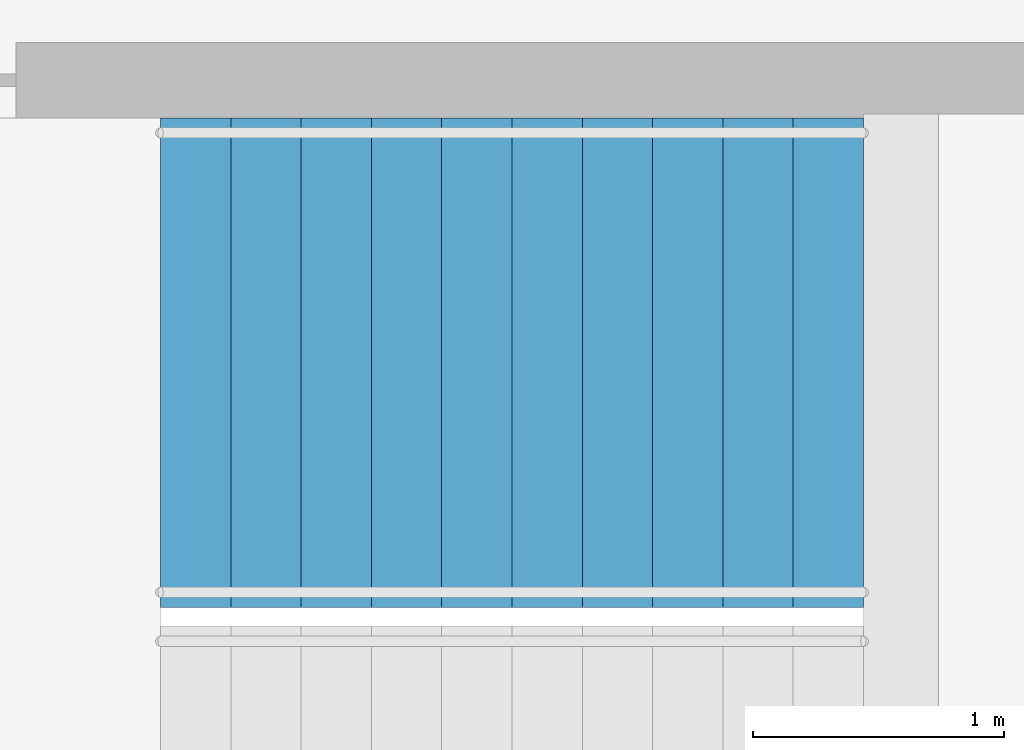
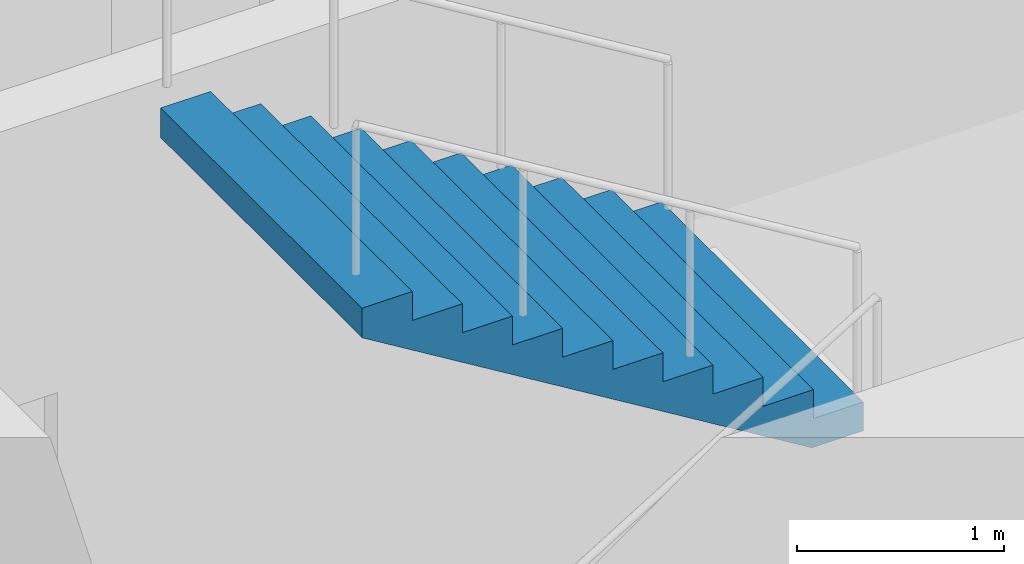
# One storey, part 18 of 21: 1 stair flight, 1 element without a shape of its own.
"""IFC4 building model written with IfcOpenShell, lengths in metres."""

from ifc_helpers import new_model, si_unit, direction, frame, origin, place, context, subcontext, project, spatial, triangles, material, type_object, element, aggregate, save


model = new_model("IFC4")

# Units and contexts
model_context = context("Model", 3, precision=1e-05, world=origin(), true_north=direction((0.0, 1.0)))
body_context = subcontext(model_context, "Body", "Model", "MODEL_VIEW")
ifc_project = project(units=[si_unit("LENGTHUNIT", "METRE"), si_unit("AREAUNIT", "SQUARE_METRE"), si_unit("VOLUMEUNIT", "CUBIC_METRE"), si_unit("PLANEANGLEUNIT", "RADIAN"), si_unit("MASSUNIT", "GRAM", prefix="KILO")], contexts=[model_context])

# Site, building, storey
site_placement = place(None, origin())
site = spatial("IfcSite", under=ifc_project, at=site_placement, CompositionType="ELEMENT")
building_placement = place(site_placement, origin())
building = spatial("IfcBuilding", under=site, at=building_placement, Name="Orbita Commons", CompositionType="ELEMENT")
storey_placement = place(building_placement, frame((0.0, 0.0, 125.64990234375)))
storey = spatial("IfcBuildingStorey", under=building, at=storey_placement, Name="L31", CompositionType="ELEMENT", Elevation=125.64990234375)

# Stair, stair flight
ifc_material_1 = material(Name="Precast concrete C40/50", Category="concrete")
stair_type = type_object("IfcStairType", Name="Exit stair S1 2 flights 11 risers 170", PredefinedType="HALF_TURN_STAIR", material=ifc_material_1)
stair_placement = place(storey_placement, origin())
stair = element("IfcStair", 1, at=stair_placement, inside=storey, type_object=stair_type, Name="Exit stair S1 L31", PredefinedType="HALF_TURN_STAIR")
ifc_material_2 = material(Name="Precast concrete C40/50", Category="concrete")
stair_flight_type = type_object("IfcStairFlightType", Name="Stair flight 11 risers 170 x 280", PredefinedType="STRAIGHT", material=ifc_material_2)
stair_flight_placement = place(storey_placement, frame((23.25, 29.27490234375, 1.875), z_axis=(0.0, 0.0, 1.0), x_axis=(-1.0, 0.0, 0.0)))
stair_flight = element("IfcStairFlight", 2, at=stair_flight_placement, type_object=stair_flight_type, Name="S1 flight 2", NumberOfRisers=11, NumberOfTreads=10, PredefinedType="STRAIGHT", RiserHeight=0.170454545, TreadLength=0.28, context=body_context, shape_type="Tessellation", body=[
    triangles([(0.0, 0.974976, 0.0), (0.0, 0.974976, 0.021307), (0.0, 0.81248, 0.021307), (0.0, 0.81248, 0.0), (0.0, 0.649984, 0.021307), (0.0, 0.649984, 0.0), (0.0, 0.487488, 0.021307), (0.0, 0.487488, 0.0), (0.0, 0.324992, 0.021307), (0.0, 0.324992, 0.0), (0.0, 0.162496, 0.021307), (0.0, 0.162496, 0.0), (0.0, 0.0, 0.021307), (0.0, 0.0, 0.0), (0.0, -0.162496, 0.021307), (0.0, -0.162496, 0.0), (0.0, -0.324992, 0.021307), (0.0, -0.324992, 0.0), (0.0, -0.487488, 0.021307), (0.0, -0.487488, 0.0), (0.0, -0.649984, 0.021307), (0.0, -0.649984, 0.0), (0.0, -0.81248, 0.021307), (0.0, -0.81248, 0.0), (0.0, -0.974976, 0.021307), (0.0, -0.974976, 0.0), (0.0, 0.974976, 0.042614), (0.0, 0.81248, 0.042614), (0.0, 0.649984, 0.042614), (0.0, 0.487488, 0.042614), (0.0, 0.324992, 0.042614), (0.0, 0.162496, 0.042614), (0.0, 0.0, 0.042614), (0.0, -0.162496, 0.042614), (0.0, -0.324992, 0.042614), (0.0, -0.487488, 0.042614), (0.0, -0.649984, 0.042614), (0.0, -0.81248, 0.042614), (0.0, -0.974976, 0.042614), (0.0, 0.974976, 0.06392), (0.0, 0.81248, 0.06392), (0.0, 0.649984, 0.06392), (0.0, 0.487488, 0.06392), (0.0, 0.324992, 0.06392), (0.0, 0.162496, 0.06392), (0.0, 0.0, 0.06392), (0.0, -0.162496, 0.06392), (0.0, -0.324992, 0.06392), (0.0, -0.487488, 0.06392), (0.0, -0.649984, 0.06392), (0.0, -0.81248, 0.06392), (0.0, -0.974976, 0.06392), (0.0, 0.974976, 0.085227), (0.0, 0.81248, 0.085227), (0.0, 0.649984, 0.085227), (0.0, 0.487488, 0.085227), (0.0, 0.324992, 0.085227), (0.0, 0.162496, 0.085227), (0.0, 0.0, 0.085227), (0.0, -0.162496, 0.085227), (0.0, -0.324992, 0.085227), (0.0, -0.487488, 0.085227), (0.0, -0.649984, 0.085227), (0.0, -0.81248, 0.085227), (0.0, -0.974976, 0.085227), (0.0, 0.974976, 0.106534), (0.0, 0.81248, 0.106534), (0.0, 0.649984, 0.106534), (0.0, 0.487488, 0.106534), (0.0, 0.324992, 0.106534), (0.0, 0.162496, 0.106534), (0.0, 0.0, 0.106534), (0.0, -0.162496, 0.106534), (0.0, -0.324992, 0.106534), (0.0, -0.487488, 0.106534), (0.0, -0.649984, 0.106534), (0.0, -0.81248, 0.106534), (0.0, -0.974976, 0.106534), (0.0, 0.974976, 0.127841), (0.0, 0.81248, 0.127841), (0.0, 0.649984, 0.127841), (0.0, 0.487488, 0.127841), (0.0, 0.324992, 0.127841), (0.0, 0.162496, 0.127841), (0.0, 0.0, 0.127841), (0.0, -0.162496, 0.127841), (0.0, -0.324992, 0.127841), (0.0, -0.487488, 0.127841), (0.0, -0.649984, 0.127841), (0.0, -0.81248, 0.127841), (0.0, -0.974976, 0.127841), (0.0, 0.974976, 0.149148), (0.0, 0.81248, 0.149148), (0.0, 0.649984, 0.149148), (0.0, 0.487488, 0.149148), (0.0, 0.324992, 0.149148), (0.0, 0.162496, 0.149148), (0.0, 0.0, 0.149148), (0.0, -0.162496, 0.149148), (0.0, -0.324992, 0.149148), (0.0, -0.487488, 0.149148), (0.0, -0.649984, 0.149148), (0.0, -0.81248, 0.149148), (0.0, -0.974976, 0.149148), (0.0, 0.974976, 0.170455), (0.0, 0.81248, 0.170455), (0.0, 0.649984, 0.170455), (0.0, 0.487488, 0.170455), (0.0, 0.324992, 0.170455), (0.0, 0.162496, 0.170455), (0.0, 0.0, 0.170455), (0.0, -0.162496, 0.170455), (0.0, -0.324992, 0.170455), (0.0, -0.487488, 0.170455), (0.0, -0.649984, 0.170455), (0.0, -0.81248, 0.170455), (0.0, -0.974976, 0.170455), (0.28, 0.974976, 0.170455), (0.28, 0.81248, 0.170455), (0.28, 0.649984, 0.170455), (0.28, 0.487488, 0.170455), (0.28, 0.324992, 0.170455), (0.28, 0.162496, 0.170455), (0.28, 0.0, 0.170455), (0.28, -0.162496, 0.170455), (0.28, -0.324992, 0.170455), (0.28, -0.487488, 0.170455), (0.28, -0.649984, 0.170455), (0.28, -0.81248, 0.170455), (0.28, -0.974976, 0.170455), (0.28, 0.974976, 0.340909), (0.28, 0.81248, 0.340909), (0.28, 0.649984, 0.340909), (0.28, 0.487488, 0.340909), (0.28, 0.324992, 0.340909), (0.28, 0.162496, 0.340909), (0.28, 0.0, 0.340909), (0.28, -0.162496, 0.340909), (0.28, -0.324992, 0.340909), (0.28, -0.487488, 0.340909), (0.28, -0.649984, 0.340909), (0.28, -0.81248, 0.340909), (0.28, -0.974976, 0.340909), (0.56, 0.974976, 0.340909), (0.56, 0.81248, 0.340909), (0.56, 0.649984, 0.340909), (0.56, 0.487488, 0.340909), (0.56, 0.324992, 0.340909), (0.56, 0.162496, 0.340909), (0.56, 0.0, 0.340909), (0.56, -0.162496, 0.340909), (0.56, -0.324992, 0.340909), (0.56, -0.487488, 0.340909), (0.56, -0.649984, 0.340909), (0.56, -0.81248, 0.340909), (0.56, -0.974976, 0.340909), (0.56, 0.974976, 0.511364), (0.56, 0.81248, 0.511364), (0.56, 0.649984, 0.511364), (0.56, 0.487488, 0.511364), (0.56, 0.324992, 0.511364), (0.56, 0.162496, 0.511364), (0.56, 0.0, 0.511364), (0.56, -0.162496, 0.511364), (0.56, -0.324992, 0.511364), (0.56, -0.487488, 0.511364), (0.56, -0.649984, 0.511364), (0.56, -0.81248, 0.511364), (0.56, -0.974976, 0.511364), (0.84, 0.974976, 0.511364), (0.84, 0.81248, 0.511364), (0.84, 0.649984, 0.511364), (0.84, 0.487488, 0.511364), (0.84, 0.324992, 0.511364), (0.84, 0.162496, 0.511364), (0.84, 0.0, 0.511364), (0.84, -0.162496, 0.511364), (0.84, -0.324992, 0.511364), (0.84, -0.487488, 0.511364), (0.84, -0.649984, 0.511364), (0.84, -0.81248, 0.511364), (0.84, -0.974976, 0.511364), (0.84, 0.974976, 0.681818), (0.84, 0.81248, 0.681818), (0.84, 0.649984, 0.681818), (0.84, 0.487488, 0.681818), (0.84, 0.324992, 0.681818), (0.84, 0.162496, 0.681818), (0.84, 0.0, 0.681818), (0.84, -0.162496, 0.681818), (0.84, -0.324992, 0.681818), (0.84, -0.487488, 0.681818), (0.84, -0.649984, 0.681818), (0.84, -0.81248, 0.681818), (0.84, -0.974976, 0.681818), (1.12, 0.974976, 0.681818), (1.12, 0.81248, 0.681818), (1.12, 0.649984, 0.681818), (1.12, 0.487488, 0.681818), (1.12, 0.324992, 0.681818), (1.12, 0.162496, 0.681818), (1.12, 0.0, 0.681818), (1.12, -0.162496, 0.681818), (1.12, -0.324992, 0.681818), (1.12, -0.487488, 0.681818), (1.12, -0.649984, 0.681818), (1.12, -0.81248, 0.681818), (1.12, -0.974976, 0.681818), (1.12, 0.974976, 0.852273), (1.12, 0.81248, 0.852273), (1.12, 0.649984, 0.852273), (1.12, 0.487488, 0.852273), (1.12, 0.324992, 0.852273), (1.12, 0.162496, 0.852273), (1.12, 0.0, 0.852273), (1.12, -0.162496, 0.852273), (1.12, -0.324992, 0.852273), (1.12, -0.487488, 0.852273), (1.12, -0.649984, 0.852273), (1.12, -0.81248, 0.852273), (1.12, -0.974976, 0.852273), (1.4, 0.974976, 0.852273), (1.4, 0.81248, 0.852273), (1.4, 0.649984, 0.852273), (1.4, 0.487488, 0.852273), (1.4, 0.324992, 0.852273), (1.4, 0.162496, 0.852273), (1.4, 0.0, 0.852273), (1.4, -0.162496, 0.852273), (1.4, -0.324992, 0.852273), (1.4, -0.487488, 0.852273), (1.4, -0.649984, 0.852273), (1.4, -0.81248, 0.852273), (1.4, -0.974976, 0.852273), (1.4, 0.974976, 1.022727), (1.4, 0.81248, 1.022727), (1.4, 0.649984, 1.022727), (1.4, 0.487488, 1.022727), (1.4, 0.324992, 1.022727), (1.4, 0.162496, 1.022727), (1.4, 0.0, 1.022727), (1.4, -0.162496, 1.022727), (1.4, -0.324992, 1.022727), (1.4, -0.487488, 1.022727), (1.4, -0.649984, 1.022727), (1.4, -0.81248, 1.022727), (1.4, -0.974976, 1.022727), (1.68, 0.974976, 1.022727), (1.68, 0.81248, 1.022727), (1.68, 0.649984, 1.022727), (1.68, 0.487488, 1.022727), (1.68, 0.324992, 1.022727), (1.68, 0.162496, 1.022727), (1.68, 0.0, 1.022727), (1.68, -0.162496, 1.022727), (1.68, -0.324992, 1.022727), (1.68, -0.487488, 1.022727), (1.68, -0.649984, 1.022727), (1.68, -0.81248, 1.022727), (1.68, -0.974976, 1.022727), (1.68, 0.974976, 1.193182), (1.68, 0.81248, 1.193182), (1.68, 0.649984, 1.193182), (1.68, 0.487488, 1.193182), (1.68, 0.324992, 1.193182), (1.68, 0.162496, 1.193182), (1.68, 0.0, 1.193182), (1.68, -0.162496, 1.193182), (1.68, -0.324992, 1.193182), (1.68, -0.487488, 1.193182), (1.68, -0.649984, 1.193182), (1.68, -0.81248, 1.193182), (1.68, -0.974976, 1.193182), (1.96, 0.974976, 1.193182), (1.96, 0.81248, 1.193182), (1.96, 0.649984, 1.193182), (1.96, 0.487488, 1.193182), (1.96, 0.324992, 1.193182), (1.96, 0.162496, 1.193182), (1.96, 0.0, 1.193182), (1.96, -0.162496, 1.193182), (1.96, -0.324992, 1.193182), (1.96, -0.487488, 1.193182), (1.96, -0.649984, 1.193182), (1.96, -0.81248, 1.193182), (1.96, -0.974976, 1.193182), (1.96, 0.974976, 1.363636), (1.96, 0.81248, 1.363636), (1.96, 0.649984, 1.363636), (1.96, 0.487488, 1.363636), (1.96, 0.324992, 1.363636), (1.96, 0.162496, 1.363636), (1.96, 0.0, 1.363636), (1.96, -0.162496, 1.363636), (1.96, -0.324992, 1.363636), (1.96, -0.487488, 1.363636), (1.96, -0.649984, 1.363636), (1.96, -0.81248, 1.363636), (1.96, -0.974976, 1.363636), (2.24, 0.974976, 1.363636), (2.24, 0.81248, 1.363636), (2.24, 0.649984, 1.363636), (2.24, 0.487488, 1.363636), (2.24, 0.324992, 1.363636), (2.24, 0.162496, 1.363636), (2.24, 0.0, 1.363636), (2.24, -0.162496, 1.363636), (2.24, -0.324992, 1.363636), (2.24, -0.487488, 1.363636), (2.24, -0.649984, 1.363636), (2.24, -0.81248, 1.363636), (2.24, -0.974976, 1.363636), (2.24, 0.974976, 1.534091), (2.24, 0.81248, 1.534091), (2.24, 0.649984, 1.534091), (2.24, 0.487488, 1.534091), (2.24, 0.324992, 1.534091), (2.24, 0.162496, 1.534091), (2.24, 0.0, 1.534091), (2.24, -0.162496, 1.534091), (2.24, -0.324992, 1.534091), (2.24, -0.487488, 1.534091), (2.24, -0.649984, 1.534091), (2.24, -0.81248, 1.534091), (2.24, -0.974976, 1.534091), (2.52, 0.974976, 1.534091), (2.52, 0.81248, 1.534091), (2.52, 0.649984, 1.534091), (2.52, 0.487488, 1.534091), (2.52, 0.324992, 1.534091), (2.52, 0.162496, 1.534091), (2.52, 0.0, 1.534091), (2.52, -0.162496, 1.534091), (2.52, -0.324992, 1.534091), (2.52, -0.487488, 1.534091), (2.52, -0.649984, 1.534091), (2.52, -0.81248, 1.534091), (2.52, -0.974976, 1.534091), (2.52, 0.974976, 1.704545), (2.52, 0.81248, 1.704545), (2.52, 0.649984, 1.704545), (2.52, 0.487488, 1.704545), (2.52, 0.324992, 1.704545), (2.52, 0.162496, 1.704545), (2.52, 0.0, 1.704545), (2.52, -0.162496, 1.704545), (2.52, -0.324992, 1.704545), (2.52, -0.487488, 1.704545), (2.52, -0.649984, 1.704545), (2.52, -0.81248, 1.704545), (2.52, -0.974976, 1.704545), (2.8, 0.974976, 1.704545), (2.8, 0.81248, 1.704545), (2.8, 0.649984, 1.704545), (2.8, 0.487488, 1.704545), (2.8, 0.324992, 1.704545), (2.8, 0.162496, 1.704545), (2.8, 0.0, 1.704545), (2.8, -0.162496, 1.704545), (2.8, -0.324992, 1.704545), (2.8, -0.487488, 1.704545), (2.8, -0.649984, 1.704545), (2.8, -0.81248, 1.704545), (2.8, -0.974976, 1.704545), (2.8, 0.974976, 1.682609), (2.8, 0.81248, 1.682609), (2.8, 0.649984, 1.682609), (2.8, 0.487488, 1.682609), (2.8, 0.324992, 1.682609), (2.8, 0.162496, 1.682609), (2.8, 0.0, 1.682609), (2.8, -0.162496, 1.682609), (2.8, -0.324992, 1.682609), (2.8, -0.487488, 1.682609), (2.8, -0.649984, 1.682609), (2.8, -0.81248, 1.682609), (2.8, -0.974976, 1.682609), (2.8, 0.974976, 1.660672), (2.8, 0.81248, 1.660672), (2.8, 0.649984, 1.660672), (2.8, 0.487488, 1.660672), (2.8, 0.324992, 1.660672), (2.8, 0.162496, 1.660672), (2.8, 0.0, 1.660672), (2.8, -0.162496, 1.660672), (2.8, -0.324992, 1.660672), (2.8, -0.487488, 1.660672), (2.8, -0.649984, 1.660672), (2.8, -0.81248, 1.660672), (2.8, -0.974976, 1.660672), (2.8, 0.974976, 1.638735), (2.8, 0.81248, 1.638735), (2.8, 0.649984, 1.638735), (2.8, 0.487488, 1.638735), (2.8, 0.324992, 1.638735), (2.8, 0.162496, 1.638735), (2.8, 0.0, 1.638735), (2.8, -0.162496, 1.638735), (2.8, -0.324992, 1.638735), (2.8, -0.487488, 1.638735), (2.8, -0.649984, 1.638735), (2.8, -0.81248, 1.638735), (2.8, -0.974976, 1.638735), (2.8, 0.974976, 1.616798), (2.8, 0.81248, 1.616798), (2.8, 0.649984, 1.616798), (2.8, 0.487488, 1.616798), (2.8, 0.324992, 1.616798), (2.8, 0.162496, 1.616798), (2.8, 0.0, 1.616798), (2.8, -0.162496, 1.616798), (2.8, -0.324992, 1.616798), (2.8, -0.487488, 1.616798), (2.8, -0.649984, 1.616798), (2.8, -0.81248, 1.616798), (2.8, -0.974976, 1.616798), (2.8, 0.974976, 1.594861), (2.8, 0.81248, 1.594861), (2.8, 0.649984, 1.594861), (2.8, 0.487488, 1.594861), (2.8, 0.324992, 1.594861), (2.8, 0.162496, 1.594861), (2.8, 0.0, 1.594861), (2.8, -0.162496, 1.594861), (2.8, -0.324992, 1.594861), (2.8, -0.487488, 1.594861), (2.8, -0.649984, 1.594861), (2.8, -0.81248, 1.594861), (2.8, -0.974976, 1.594861), (2.8, 0.974976, 1.572925), (2.8, 0.81248, 1.572925), (2.8, 0.649984, 1.572925), (2.8, 0.487488, 1.572925), (2.8, 0.324992, 1.572925), (2.8, 0.162496, 1.572925), (2.8, 0.0, 1.572925), (2.8, -0.162496, 1.572925), (2.8, -0.324992, 1.572925), (2.8, -0.487488, 1.572925), (2.8, -0.649984, 1.572925), (2.8, -0.81248, 1.572925), (2.8, -0.974976, 1.572925), (2.8, 0.974976, 1.550988), (2.8, 0.81248, 1.550988), (2.8, 0.649984, 1.550988), (2.8, 0.487488, 1.550988), (2.8, 0.324992, 1.550988), (2.8, 0.162496, 1.550988), (2.8, 0.0, 1.550988), (2.8, -0.162496, 1.550988), (2.8, -0.324992, 1.550988), (2.8, -0.487488, 1.550988), (2.8, -0.649984, 1.550988), (2.8, -0.81248, 1.550988), (2.8, -0.974976, 1.550988), (2.8, 0.974976, 1.529051), (2.8, 0.81248, 1.529051), (2.8, 0.649984, 1.529051), (2.8, 0.487488, 1.529051), (2.8, 0.324992, 1.529051), (2.8, 0.162496, 1.529051), (2.8, 0.0, 1.529051), (2.8, -0.162496, 1.529051), (2.8, -0.324992, 1.529051), (2.8, -0.487488, 1.529051), (2.8, -0.649984, 1.529051), (2.8, -0.81248, 1.529051), (2.8, -0.974976, 1.529051), (0.288279, 0.974976, 0.0), (0.288279, 0.81248, 0.0), (0.288279, 0.649984, 0.0), (0.288279, 0.487488, 0.0), (0.288279, 0.324992, 0.0), (0.288279, 0.162496, 0.0), (0.288279, 0.0, 0.0), (0.288279, -0.162496, 0.0), (0.288279, -0.324992, 0.0), (0.288279, -0.487488, 0.0), (0.288279, -0.649984, 0.0), (0.288279, -0.81248, 0.0), (0.288279, -0.974976, 0.0)], [[3, 2, 1], [4, 3, 1], [5, 3, 4], [6, 5, 4], [7, 5, 6], [8, 7, 6], [9, 7, 8], [10, 9, 8], [11, 9, 10], [12, 11, 10], [13, 11, 12], [14, 13, 12], [15, 13, 14], [16, 15, 14], [17, 15, 16], [18, 17, 16], [19, 17, 18], [20, 19, 18], [21, 19, 20], [22, 21, 20], [23, 21, 22], [24, 23, 22], [25, 23, 24], [26, 25, 24], [28, 27, 2], [3, 28, 2], [29, 28, 3], [5, 29, 3], [30, 29, 5], [7, 30, 5], [31, 30, 7], [9, 31, 7], [32, 31, 9], [11, 32, 9], [33, 32, 11], [13, 33, 11], [34, 33, 13], [15, 34, 13], [35, 34, 15], [17, 35, 15], [36, 35, 17], [19, 36, 17], [37, 36, 19], [21, 37, 19], [38, 37, 21], [23, 38, 21], [39, 38, 23], [25, 39, 23], [41, 40, 27], [28, 41, 27], [42, 41, 28], [29, 42, 28], [43, 42, 29], [30, 43, 29], [44, 43, 30], [31, 44, 30], [45, 44, 31], [32, 45, 31], [46, 45, 32], [33, 46, 32], [47, 46, 33], [34, 47, 33], [48, 47, 34], [35, 48, 34], [49, 48, 35], [36, 49, 35], [50, 49, 36], [37, 50, 36], [51, 50, 37], [38, 51, 37], [52, 51, 38], [39, 52, 38], [54, 53, 40], [41, 54, 40], [55, 54, 41], [42, 55, 41], [56, 55, 42], [43, 56, 42], [57, 56, 43], [44, 57, 43], [58, 57, 44], [45, 58, 44], [59, 58, 45], [46, 59, 45], [60, 59, 46], [47, 60, 46], [61, 60, 47], [48, 61, 47], [62, 61, 48], [49, 62, 48], [63, 62, 49], [50, 63, 49], [64, 63, 50], [51, 64, 50], [65, 64, 51], [52, 65, 51], [67, 66, 53], [54, 67, 53], [68, 67, 54], [55, 68, 54], [69, 68, 55], [56, 69, 55], [70, 69, 56], [57, 70, 56], [71, 70, 57], [58, 71, 57], [72, 71, 58], [59, 72, 58], [73, 72, 59], [60, 73, 59], [74, 73, 60], [61, 74, 60], [75, 74, 61], [62, 75, 61], [76, 75, 62], [63, 76, 62], [77, 76, 63], [64, 77, 63], [78, 77, 64], [65, 78, 64], [80, 79, 66], [67, 80, 66], [81, 80, 67], [68, 81, 67], [82, 81, 68], [69, 82, 68], [83, 82, 69], [70, 83, 69], [84, 83, 70], [71, 84, 70], [85, 84, 71], [72, 85, 71], [86, 85, 72], [73, 86, 72], [87, 86, 73], [74, 87, 73], [88, 87, 74], [75, 88, 74], [89, 88, 75], [76, 89, 75], [90, 89, 76], [77, 90, 76], [91, 90, 77], [78, 91, 77], [93, 92, 79], [80, 93, 79], [94, 93, 80], [81, 94, 80], [95, 94, 81], [82, 95, 81], [96, 95, 82], [83, 96, 82], [97, 96, 83], [84, 97, 83], [98, 97, 84], [85, 98, 84], [99, 98, 85], [86, 99, 85], [100, 99, 86], [87, 100, 86], [101, 100, 87], [88, 101, 87], [102, 101, 88], [89, 102, 88], [103, 102, 89], [90, 103, 89], [104, 103, 90], [91, 104, 90], [106, 105, 92], [93, 106, 92], [107, 106, 93], [94, 107, 93], [108, 107, 94], [95, 108, 94], [109, 108, 95], [96, 109, 95], [110, 109, 96], [97, 110, 96], [111, 110, 97], [98, 111, 97], [112, 111, 98], [99, 112, 98], [113, 112, 99], [100, 113, 99], [114, 113, 100], [101, 114, 100], [115, 114, 101], [102, 115, 101], [116, 115, 102], [103, 116, 102], [117, 116, 103], [104, 117, 103], [119, 118, 105], [106, 119, 105], [120, 119, 106], [107, 120, 106], [121, 120, 107], [108, 121, 107], [122, 121, 108], [109, 122, 108], [123, 122, 109], [110, 123, 109], [124, 123, 110], [111, 124, 110], [125, 124, 111], [112, 125, 111], [126, 125, 112], [113, 126, 112], [127, 126, 113], [114, 127, 113], [128, 127, 114], [115, 128, 114], [129, 128, 115], [116, 129, 115], [130, 129, 116], [117, 130, 116], [132, 131, 118], [119, 132, 118], [133, 132, 119], [120, 133, 119], [134, 133, 120], [121, 134, 120], [135, 134, 121], [122, 135, 121], [136, 135, 122], [123, 136, 122], [137, 136, 123], [124, 137, 123], [138, 137, 124], [125, 138, 124], [139, 138, 125], [126, 139, 125], [140, 139, 126], [127, 140, 126], [141, 140, 127], [128, 141, 127], [142, 141, 128], [129, 142, 128], [143, 142, 129], [130, 143, 129], [145, 144, 131], [132, 145, 131], [146, 145, 132], [133, 146, 132], [147, 146, 133], [134, 147, 133], [148, 147, 134], [135, 148, 134], [149, 148, 135], [136, 149, 135], [150, 149, 136], [137, 150, 136], [151, 150, 137], [138, 151, 137], [152, 151, 138], [139, 152, 138], [153, 152, 139], [140, 153, 139], [154, 153, 140], [141, 154, 140], [155, 154, 141], [142, 155, 141], [156, 155, 142], [143, 156, 142], [158, 157, 144], [145, 158, 144], [159, 158, 145], [146, 159, 145], [160, 159, 146], [147, 160, 146], [161, 160, 147], [148, 161, 147], [162, 161, 148], [149, 162, 148], [163, 162, 149], [150, 163, 149], [164, 163, 150], [151, 164, 150], [165, 164, 151], [152, 165, 151], [166, 165, 152], [153, 166, 152], [167, 166, 153], [154, 167, 153], [168, 167, 154], [155, 168, 154], [169, 168, 155], [156, 169, 155], [171, 170, 157], [158, 171, 157], [172, 171, 158], [159, 172, 158], [173, 172, 159], [160, 173, 159], [174, 173, 160], [161, 174, 160], [175, 174, 161], [162, 175, 161], [176, 175, 162], [163, 176, 162], [177, 176, 163], [164, 177, 163], [178, 177, 164], [165, 178, 164], [179, 178, 165], [166, 179, 165], [180, 179, 166], [167, 180, 166], [181, 180, 167], [168, 181, 167], [182, 181, 168], [169, 182, 168], [184, 183, 170], [171, 184, 170], [185, 184, 171], [172, 185, 171], [186, 185, 172], [173, 186, 172], [187, 186, 173], [174, 187, 173], [188, 187, 174], [175, 188, 174], [189, 188, 175], [176, 189, 175], [190, 189, 176], [177, 190, 176], [191, 190, 177], [178, 191, 177], [192, 191, 178], [179, 192, 178], [193, 192, 179], [180, 193, 179], [194, 193, 180], [181, 194, 180], [195, 194, 181], [182, 195, 181], [197, 196, 183], [184, 197, 183], [198, 197, 184], [185, 198, 184], [199, 198, 185], [186, 199, 185], [200, 199, 186], [187, 200, 186], [201, 200, 187], [188, 201, 187], [202, 201, 188], [189, 202, 188], [203, 202, 189], [190, 203, 189], [204, 203, 190], [191, 204, 190], [205, 204, 191], [192, 205, 191], [206, 205, 192], [193, 206, 192], [207, 206, 193], [194, 207, 193], [208, 207, 194], [195, 208, 194], [210, 209, 196], [197, 210, 196], [211, 210, 197], [198, 211, 197], [212, 211, 198], [199, 212, 198], [213, 212, 199], [200, 213, 199], [214, 213, 200], [201, 214, 200], [215, 214, 201], [202, 215, 201], [216, 215, 202], [203, 216, 202], [217, 216, 203], [204, 217, 203], [218, 217, 204], [205, 218, 204], [219, 218, 205], [206, 219, 205], [220, 219, 206], [207, 220, 206], [221, 220, 207], [208, 221, 207], [223, 222, 209], [210, 223, 209], [224, 223, 210], [211, 224, 210], [225, 224, 211], [212, 225, 211], [226, 225, 212], [213, 226, 212], [227, 226, 213], [214, 227, 213], [228, 227, 214], [215, 228, 214], [229, 228, 215], [216, 229, 215], [230, 229, 216], [217, 230, 216], [231, 230, 217], [218, 231, 217], [232, 231, 218], [219, 232, 218], [233, 232, 219], [220, 233, 219], [234, 233, 220], [221, 234, 220], [236, 235, 222], [223, 236, 222], [237, 236, 223], [224, 237, 223], [238, 237, 224], [225, 238, 224], [239, 238, 225], [226, 239, 225], [240, 239, 226], [227, 240, 226], [241, 240, 227], [228, 241, 227], [242, 241, 228], [229, 242, 228], [243, 242, 229], [230, 243, 229], [244, 243, 230], [231, 244, 230], [245, 244, 231], [232, 245, 231], [246, 245, 232], [233, 246, 232], [247, 246, 233], [234, 247, 233], [249, 248, 235], [236, 249, 235], [250, 249, 236], [237, 250, 236], [251, 250, 237], [238, 251, 237], [252, 251, 238], [239, 252, 238], [253, 252, 239], [240, 253, 239], [254, 253, 240], [241, 254, 240], [255, 254, 241], [242, 255, 241], [256, 255, 242], [243, 256, 242], [257, 256, 243], [244, 257, 243], [258, 257, 244], [245, 258, 244], [259, 258, 245], [246, 259, 245], [260, 259, 246], [247, 260, 246], [262, 261, 248], [249, 262, 248], [263, 262, 249], [250, 263, 249], [264, 263, 250], [251, 264, 250], [265, 264, 251], [252, 265, 251], [266, 265, 252], [253, 266, 252], [267, 266, 253], [254, 267, 253], [268, 267, 254], [255, 268, 254], [269, 268, 255], [256, 269, 255], [270, 269, 256], [257, 270, 256], [271, 270, 257], [258, 271, 257], [272, 271, 258], [259, 272, 258], [273, 272, 259], [260, 273, 259], [275, 274, 261], [262, 275, 261], [276, 275, 262], [263, 276, 262], [277, 276, 263], [264, 277, 263], [278, 277, 264], [265, 278, 264], [279, 278, 265], [266, 279, 265], [280, 279, 266], [267, 280, 266], [281, 280, 267], [268, 281, 267], [282, 281, 268], [269, 282, 268], [283, 282, 269], [270, 283, 269], [284, 283, 270], [271, 284, 270], [285, 284, 271], [272, 285, 271], [286, 285, 272], [273, 286, 272], [288, 287, 274], [275, 288, 274], [289, 288, 275], [276, 289, 275], [290, 289, 276], [277, 290, 276], [291, 290, 277], [278, 291, 277], [292, 291, 278], [279, 292, 278], [293, 292, 279], [280, 293, 279], [294, 293, 280], [281, 294, 280], [295, 294, 281], [282, 295, 281], [296, 295, 282], [283, 296, 282], [297, 296, 283], [284, 297, 283], [298, 297, 284], [285, 298, 284], [299, 298, 285], [286, 299, 285], [301, 300, 287], [288, 301, 287], [302, 301, 288], [289, 302, 288], [303, 302, 289], [290, 303, 289], [304, 303, 290], [291, 304, 290], [305, 304, 291], [292, 305, 291], [306, 305, 292], [293, 306, 292], [307, 306, 293], [294, 307, 293], [308, 307, 294], [295, 308, 294], [309, 308, 295], [296, 309, 295], [310, 309, 296], [297, 310, 296], [311, 310, 297], [298, 311, 297], [312, 311, 298], [299, 312, 298], [314, 313, 300], [301, 314, 300], [315, 314, 301], [302, 315, 301], [316, 315, 302], [303, 316, 302], [317, 316, 303], [304, 317, 303], [318, 317, 304], [305, 318, 304], [319, 318, 305], [306, 319, 305], [320, 319, 306], [307, 320, 306], [321, 320, 307], [308, 321, 307], [322, 321, 308], [309, 322, 308], [323, 322, 309], [310, 323, 309], [324, 323, 310], [311, 324, 310], [325, 324, 311], [312, 325, 311], [327, 326, 313], [314, 327, 313], [328, 327, 314], [315, 328, 314], [329, 328, 315], [316, 329, 315], [330, 329, 316], [317, 330, 316], [331, 330, 317], [318, 331, 317], [332, 331, 318], [319, 332, 318], [333, 332, 319], [320, 333, 319], [334, 333, 320], [321, 334, 320], [335, 334, 321], [322, 335, 321], [336, 335, 322], [323, 336, 322], [337, 336, 323], [324, 337, 323], [338, 337, 324], [325, 338, 324], [340, 339, 326], [327, 340, 326], [341, 340, 327], [328, 341, 327], [342, 341, 328], [329, 342, 328], [343, 342, 329], [330, 343, 329], [344, 343, 330], [331, 344, 330], [345, 344, 331], [332, 345, 331], [346, 345, 332], [333, 346, 332], [347, 346, 333], [334, 347, 333], [348, 347, 334], [335, 348, 334], [349, 348, 335], [336, 349, 335], [350, 349, 336], [337, 350, 336], [351, 350, 337], [338, 351, 337], [353, 352, 339], [340, 353, 339], [354, 353, 340], [341, 354, 340], [355, 354, 341], [342, 355, 341], [356, 355, 342], [343, 356, 342], [357, 356, 343], [344, 357, 343], [358, 357, 344], [345, 358, 344], [359, 358, 345], [346, 359, 345], [360, 359, 346], [347, 360, 346], [361, 360, 347], [348, 361, 347], [362, 361, 348], [349, 362, 348], [363, 362, 349], [350, 363, 349], [364, 363, 350], [351, 364, 350], [366, 365, 352], [353, 366, 352], [367, 366, 353], [354, 367, 353], [368, 367, 354], [355, 368, 354], [369, 368, 355], [356, 369, 355], [370, 369, 356], [357, 370, 356], [371, 370, 357], [358, 371, 357], [372, 371, 358], [359, 372, 358], [373, 372, 359], [360, 373, 359], [374, 373, 360], [361, 374, 360], [375, 374, 361], [362, 375, 361], [376, 375, 362], [363, 376, 362], [377, 376, 363], [364, 377, 363], [379, 378, 365], [366, 379, 365], [380, 379, 366], [367, 380, 366], [381, 380, 367], [368, 381, 367], [382, 381, 368], [369, 382, 368], [383, 382, 369], [370, 383, 369], [384, 383, 370], [371, 384, 370], [385, 384, 371], [372, 385, 371], [386, 385, 372], [373, 386, 372], [387, 386, 373], [374, 387, 373], [388, 387, 374], [375, 388, 374], [389, 388, 375], [376, 389, 375], [390, 389, 376], [377, 390, 376], [392, 391, 378], [379, 392, 378], [393, 392, 379], [380, 393, 379], [394, 393, 380], [381, 394, 380], [395, 394, 381], [382, 395, 381], [396, 395, 382], [383, 396, 382], [397, 396, 383], [384, 397, 383], [398, 397, 384], [385, 398, 384], [399, 398, 385], [386, 399, 385], [400, 399, 386], [387, 400, 386], [401, 400, 387], [388, 401, 387], [402, 401, 388], [389, 402, 388], [403, 402, 389], [390, 403, 389], [405, 404, 391], [392, 405, 391], [406, 405, 392], [393, 406, 392], [407, 406, 393], [394, 407, 393], [408, 407, 394], [395, 408, 394], [409, 408, 395], [396, 409, 395], [410, 409, 396], [397, 410, 396], [411, 410, 397], [398, 411, 397], [412, 411, 398], [399, 412, 398], [413, 412, 399], [400, 413, 399], [414, 413, 400], [401, 414, 400], [415, 414, 401], [402, 415, 401], [416, 415, 402], [403, 416, 402], [418, 417, 404], [405, 418, 404], [419, 418, 405], [406, 419, 405], [420, 419, 406], [407, 420, 406], [421, 420, 407], [408, 421, 407], [422, 421, 408], [409, 422, 408], [423, 422, 409], [410, 423, 409], [424, 423, 410], [411, 424, 410], [425, 424, 411], [412, 425, 411], [426, 425, 412], [413, 426, 412], [427, 426, 413], [414, 427, 413], [428, 427, 414], [415, 428, 414], [429, 428, 415], [416, 429, 415], [431, 430, 417], [418, 431, 417], [432, 431, 418], [419, 432, 418], [433, 432, 419], [420, 433, 419], [434, 433, 420], [421, 434, 420], [435, 434, 421], [422, 435, 421], [436, 435, 422], [423, 436, 422], [437, 436, 423], [424, 437, 423], [438, 437, 424], [425, 438, 424], [439, 438, 425], [426, 439, 425], [440, 439, 426], [427, 440, 426], [441, 440, 427], [428, 441, 427], [442, 441, 428], [429, 442, 428], [444, 443, 430], [431, 444, 430], [445, 444, 431], [432, 445, 431], [446, 445, 432], [433, 446, 432], [447, 446, 433], [434, 447, 433], [448, 447, 434], [435, 448, 434], [449, 448, 435], [436, 449, 435], [450, 449, 436], [437, 450, 436], [451, 450, 437], [438, 451, 437], [452, 451, 438], [439, 452, 438], [453, 452, 439], [440, 453, 439], [454, 453, 440], [441, 454, 440], [455, 454, 441], [442, 455, 441], [457, 456, 443], [444, 457, 443], [458, 457, 444], [445, 458, 444], [459, 458, 445], [446, 459, 445], [460, 459, 446], [447, 460, 446], [461, 460, 447], [448, 461, 447], [462, 461, 448], [449, 462, 448], [463, 462, 449], [450, 463, 449], [464, 463, 450], [451, 464, 450], [465, 464, 451], [452, 465, 451], [466, 465, 452], [453, 466, 452], [467, 466, 453], [454, 467, 453], [468, 467, 454], [455, 468, 454], [470, 469, 456], [457, 470, 456], [471, 470, 457], [458, 471, 457], [472, 471, 458], [459, 472, 458], [473, 472, 459], [460, 473, 459], [474, 473, 460], [461, 474, 460], [475, 474, 461], [462, 475, 461], [476, 475, 462], [463, 476, 462], [477, 476, 463], [464, 477, 463], [478, 477, 464], [465, 478, 464], [479, 478, 465], [466, 479, 465], [480, 479, 466], [467, 480, 466], [481, 480, 467], [468, 481, 467], [4, 1, 469], [470, 4, 469], [6, 4, 470], [471, 6, 470], [8, 6, 471], [472, 8, 471], [10, 8, 472], [473, 10, 472], [12, 10, 473], [474, 12, 473], [14, 12, 474], [475, 14, 474], [16, 14, 475], [476, 16, 475], [18, 16, 476], [477, 18, 476], [20, 18, 477], [478, 20, 477], [22, 20, 478], [479, 22, 478], [24, 22, 479], [480, 24, 479], [26, 24, 480], [481, 26, 480], [456, 469, 1], [26, 481, 468], [443, 456, 1], [26, 468, 455], [430, 443, 1], [26, 455, 442], [417, 430, 1], [26, 442, 429], [404, 417, 1], [26, 429, 416], [391, 404, 1], [26, 416, 403], [378, 391, 1], [26, 403, 390], [365, 378, 1], [26, 390, 377], [339, 352, 365], [377, 364, 351], [326, 339, 365], [377, 351, 338], [300, 313, 326], [338, 325, 312], [300, 326, 365], [377, 338, 312], [274, 287, 300], [312, 299, 286], [274, 300, 365], [377, 312, 286], [248, 261, 274], [286, 273, 260], [248, 274, 365], [377, 286, 260], [222, 235, 248], [260, 247, 234], [222, 248, 365], [377, 260, 234], [196, 209, 222], [234, 221, 208], [196, 222, 365], [377, 234, 208], [170, 183, 196], [208, 195, 182], [170, 196, 365], [377, 208, 182], [144, 157, 170], [182, 169, 156], [144, 170, 365], [377, 182, 156], [118, 131, 144], [156, 143, 130], [118, 144, 365], [377, 156, 130], [118, 365, 1], [26, 377, 130], [92, 105, 118], [130, 117, 104], [79, 92, 118], [130, 104, 91], [66, 79, 118], [130, 91, 78], [53, 66, 118], [130, 78, 65], [40, 53, 118], [130, 65, 52], [27, 40, 118], [130, 52, 39], [2, 27, 118], [130, 39, 25], [1, 2, 118], [130, 25, 26]], closed=True),
])
aggregate(stair, [stair_flight])

save(model, "model.ifc")
